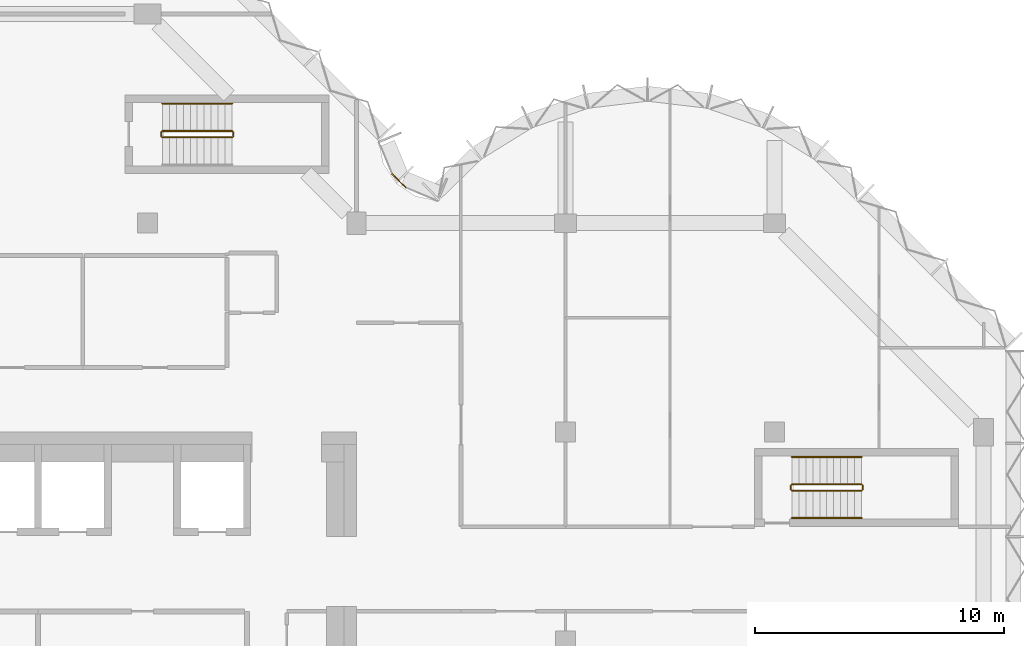
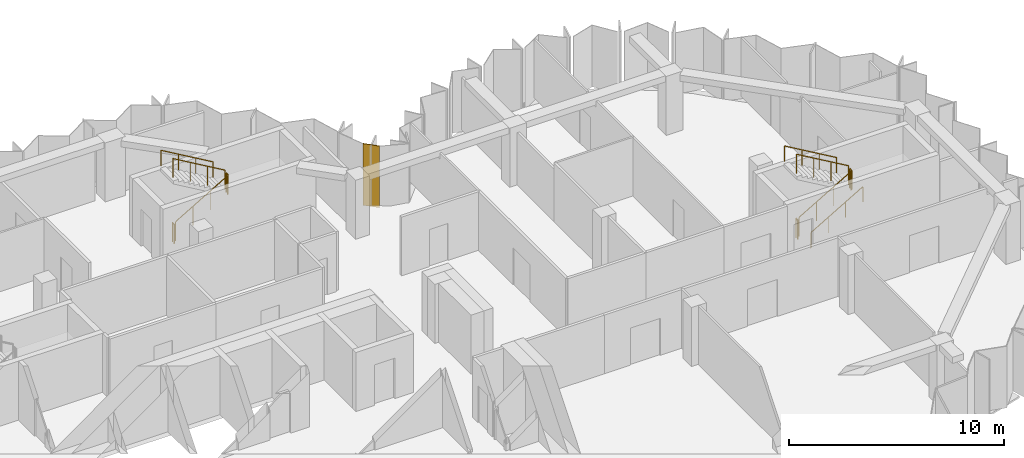
# One storey, part 10 of 10: 11 railings, 1 covering, 1 element without a shape of its own.
"""IFC4 building model written with IfcOpenShell, lengths in metres."""

from ifc_helpers import new_model, si_unit, direction, frame, origin, origin_2d, place, context, subcontext, project, spatial, polyline, circle, outline, extrude, material, layer, layer_set, type_object, element, aggregate, save


model = new_model("IFC4")

# Units and contexts
model_context = context("Model", 3, precision=1e-05, world=origin(), true_north=direction((0.0, 1.0)))
body_context = subcontext(model_context, "Body", "Model", "MODEL_VIEW")
ifc_project = project(units=[si_unit("LENGTHUNIT", "METRE"), si_unit("AREAUNIT", "SQUARE_METRE"), si_unit("VOLUMEUNIT", "CUBIC_METRE"), si_unit("PLANEANGLEUNIT", "RADIAN"), si_unit("MASSUNIT", "GRAM", prefix="KILO")], contexts=[model_context])

# Site, building, storey
site_placement = place(None, origin())
site = spatial("IfcSite", under=ifc_project, at=site_placement, CompositionType="ELEMENT")
building_placement = place(site_placement, origin())
building = spatial("IfcBuilding", under=site, at=building_placement, Name="Brevane Broadcast Tower", CompositionType="ELEMENT")
storey_placement = place(building_placement, frame((0.0, 0.0, 233.699951171875)))
storey = spatial("IfcBuildingStorey", under=building, at=storey_placement, Name="L59", CompositionType="ELEMENT", Elevation=233.699951171875)

# Railings
ifc_material_1 = material(Name="Steel S355", Category="steel")
railing_type_1 = type_object("IfcRailingType", Name="Exit stair guard", PredefinedType="GUARDRAIL", material=ifc_material_1)
railing_1_placement = place(storey_placement, frame((17.39990234375, 28.64990234375, 0.16357421875)))
element("IfcRailing", 1, at=railing_1_placement, inside=storey, type_object=railing_type_1, Name="L59 ST-3 stair guard 1", PredefinedType="GUARDRAIL", context=body_context, shape_type="SweptSolid", body=[
    extrude(circle(Radius=0.02392578125, at=origin_2d()), frame((0.0, 0.0, 1.076171875), z_axis=(0.863360870873, 0.0, 0.504586966384), x_axis=(0.0, 1.0, 0.0)), (0.0, 0.0, 1.0), 3.2431640625),
    extrude(circle(Radius=0.02099609375, at=origin_2d()), origin(), (0.0, 0.0, 1.0), 1.052001953125),
    extrude(circle(Radius=0.02099609375, at=origin_2d()), frame((0.933349609375, 0.0, 0.54541015625)), (0.0, 0.0, 1.0), 1.052001953125),
    extrude(circle(Radius=0.02099609375, at=origin_2d()), frame((1.86669921875, 0.0, 1.091064453125)), (0.0, 0.0, 1.0), 1.052001953125),
    extrude(circle(Radius=0.02099609375, at=origin_2d()), frame((2.800048828125, 0.0, 1.636474609375)), (0.0, 0.0, 1.0), 1.052001953125),
])
railing_2_placement = place(storey_placement, frame((20.25, 28.699951171875, 1.800048828125)))
element("IfcRailing", 2, at=railing_2_placement, inside=storey, type_object=railing_type_1, Name="L59 ST-3 stair guard 2", PredefinedType="GUARDRAIL", context=body_context, shape_type="SweptSolid", body=[
    extrude(circle(Radius=0.02392578125, at=origin_2d()), frame((0.0, 0.0, 1.076171875), z_axis=(0.0, 1.0, 0.0), x_axis=(-1.0, 0.0, 0.0)), (0.0, 0.0, 1.0), 0.150146484375),
    extrude(circle(Radius=0.02099609375, at=origin_2d()), origin(), (0.0, 0.0, 1.0), 1.052001953125),
    extrude(circle(Radius=0.02099609375, at=origin_2d()), frame((0.0, 0.150146484375, 0.0)), (0.0, 0.0, 1.0), 1.052001953125),
])
railing_3_placement = place(storey_placement, frame((20.199951171875, 28.89990234375, 1.963623046875)))
element("IfcRailing", 3, at=railing_3_placement, inside=storey, type_object=railing_type_1, Name="L59 ST-3 stair guard 3", PredefinedType="GUARDRAIL", context=body_context, shape_type="SweptSolid", body=[
    extrude(circle(Radius=0.02392578125, at=origin_2d()), frame((0.0, 0.0, 1.076171875), z_axis=(-0.863360870873, 0.0, 0.504586966384), x_axis=(0.0, -1.0, 0.0)), (0.0, 0.0, 1.0), 3.2431640625),
    extrude(circle(Radius=0.02099609375, at=origin_2d()), origin(), (0.0, 0.0, 1.0), 1.052001953125),
    extrude(circle(Radius=0.02099609375, at=origin_2d()), frame((-0.933349609375, 0.0, 0.54541015625)), (0.0, 0.0, 1.0), 1.052001953125),
    extrude(circle(Radius=0.02099609375, at=origin_2d()), frame((-1.86669921875, 0.0, 1.091064453125)), (0.0, 0.0, 1.0), 1.052001953125),
    extrude(circle(Radius=0.02099609375, at=origin_2d()), frame((-2.800048828125, 0.0, 1.636474609375)), (0.0, 0.0, 1.0), 1.052001953125),
])
railing_4_placement = place(storey_placement, frame((17.35009765625, 28.699951171875, 0.0)))
element("IfcRailing", 4, at=railing_4_placement, inside=storey, type_object=railing_type_1, Name="L59 ST-3 stair guard 4", PredefinedType="GUARDRAIL", context=body_context, shape_type="SweptSolid", body=[
    extrude(circle(Radius=0.02392578125, at=origin_2d()), frame((0.0, 0.0, 1.076171875), z_axis=(0.0, 1.0, 0.0), x_axis=(-1.0, 0.0, 0.0)), (0.0, 0.0, 1.0), 0.150146484375),
    extrude(circle(Radius=0.02099609375, at=origin_2d()), origin(), (0.0, 0.0, 1.0), 1.052001953125),
    extrude(circle(Radius=0.02099609375, at=origin_2d()), frame((0.0, 0.150146484375, 0.0)), (0.0, 0.0, 1.0), 1.052001953125),
])
railing_5_placement = place(storey_placement, frame((42.699951171875, 14.449951171875, 0.16357421875)))
element("IfcRailing", 5, at=railing_5_placement, inside=storey, type_object=railing_type_1, Name="L59 ST-4 stair guard 1", PredefinedType="GUARDRAIL", context=body_context, shape_type="SweptSolid", body=[
    extrude(circle(Radius=0.02392578125, at=origin_2d()), frame((0.0, 0.0, 1.076171875), z_axis=(0.863360870873, 0.0, 0.504586966384), x_axis=(0.0, 1.0, 0.0)), (0.0, 0.0, 1.0), 3.2431640625),
    extrude(circle(Radius=0.02099609375, at=origin_2d()), origin(), (0.0, 0.0, 1.0), 1.052001953125),
    extrude(circle(Radius=0.02099609375, at=origin_2d()), frame((0.933349609375, 0.0, 0.54541015625)), (0.0, 0.0, 1.0), 1.052001953125),
    extrude(circle(Radius=0.02099609375, at=origin_2d()), frame((1.86669921875, 0.0, 1.091064453125)), (0.0, 0.0, 1.0), 1.052001953125),
    extrude(circle(Radius=0.02099609375, at=origin_2d()), frame((2.800048828125, 0.0, 1.636474609375)), (0.0, 0.0, 1.0), 1.052001953125),
])
railing_6_placement = place(storey_placement, frame((45.550048828125, 14.5, 1.800048828125)))
element("IfcRailing", 6, at=railing_6_placement, inside=storey, type_object=railing_type_1, Name="L59 ST-4 stair guard 2", PredefinedType="GUARDRAIL", context=body_context, shape_type="SweptSolid", body=[
    extrude(circle(Radius=0.02392578125, at=origin_2d()), frame((0.0, 0.0, 1.076171875), z_axis=(0.0, 1.0, 0.0), x_axis=(-1.0, 0.0, 0.0)), (0.0, 0.0, 1.0), 0.14990234375),
    extrude(circle(Radius=0.02099609375, at=origin_2d()), origin(), (0.0, 0.0, 1.0), 1.052001953125),
    extrude(circle(Radius=0.02099609375, at=origin_2d()), frame((0.0, 0.14990234375, 0.0)), (0.0, 0.0, 1.0), 1.052001953125),
])
railing_7_placement = place(storey_placement, frame((45.5, 14.699951171875, 1.963623046875)))
element("IfcRailing", 7, at=railing_7_placement, inside=storey, type_object=railing_type_1, Name="L59 ST-4 stair guard 3", PredefinedType="GUARDRAIL", context=body_context, shape_type="SweptSolid", body=[
    extrude(circle(Radius=0.02392578125, at=origin_2d()), frame((0.0, 0.0, 1.076171875), z_axis=(-0.863360870873, 0.0, 0.504586966384), x_axis=(0.0, -1.0, 0.0)), (0.0, 0.0, 1.0), 3.2431640625),
    extrude(circle(Radius=0.02099609375, at=origin_2d()), origin(), (0.0, 0.0, 1.0), 1.052001953125),
    extrude(circle(Radius=0.02099609375, at=origin_2d()), frame((-0.933349609375, 0.0, 0.54541015625)), (0.0, 0.0, 1.0), 1.052001953125),
    extrude(circle(Radius=0.02099609375, at=origin_2d()), frame((-1.86669921875, 0.0, 1.091064453125)), (0.0, 0.0, 1.0), 1.052001953125),
    extrude(circle(Radius=0.02099609375, at=origin_2d()), frame((-2.800048828125, 0.0, 1.636474609375)), (0.0, 0.0, 1.0), 1.052001953125),
])
railing_8_placement = place(storey_placement, frame((42.64990234375, 14.5, 0.0)))
element("IfcRailing", 8, at=railing_8_placement, inside=storey, type_object=railing_type_1, Name="L59 ST-4 stair guard 4", PredefinedType="GUARDRAIL", context=body_context, shape_type="SweptSolid", body=[
    extrude(circle(Radius=0.02392578125, at=origin_2d()), frame((0.0, 0.0, 1.076171875), z_axis=(0.0, 1.0, 0.0), x_axis=(-1.0, 0.0, 0.0)), (0.0, 0.0, 1.0), 0.14990234375),
    extrude(circle(Radius=0.02099609375, at=origin_2d()), origin(), (0.0, 0.0, 1.0), 1.052001953125),
    extrude(circle(Radius=0.02099609375, at=origin_2d()), frame((0.0, 0.14990234375, 0.0)), (0.0, 0.0, 1.0), 1.052001953125),
])
railing_type_2 = type_object("IfcRailingType", Name="Exit stair handrail", PredefinedType="HANDRAIL", material=ifc_material_1)
railing_9_placement = place(storey_placement, frame((20.199951171875, 30.0, 1.963623046875)))
element("IfcRailing", 9, at=railing_9_placement, inside=storey, type_object=railing_type_2, Name="L59 ST-3 stair handrail 2", PredefinedType="HANDRAIL", context=body_context, shape_type="SweptSolid", body=[
    extrude(circle(Radius=0.02392578125, at=origin_2d()), frame((0.0, 0.0, 0.8759765625), z_axis=(-0.863360870873, 0.0, 0.504586966384), x_axis=(0.0, -1.0, 0.0)), (0.0, 0.0, 1.0), 3.2431640625),
    extrude(circle(Radius=0.02099609375, at=origin_2d()), origin(), (0.0, 0.0, 1.0), 0.851806640625),
    extrude(circle(Radius=0.02099609375, at=origin_2d()), frame((-0.933349609375, 0.0, 0.54541015625)), (0.0, 0.0, 1.0), 0.851806640625),
    extrude(circle(Radius=0.02099609375, at=origin_2d()), frame((-1.86669921875, 0.0, 1.091064453125)), (0.0, 0.0, 1.0), 0.851806640625),
    extrude(circle(Radius=0.02099609375, at=origin_2d()), frame((-2.800048828125, 0.0, 1.636474609375)), (0.0, 0.0, 1.0), 0.851806640625),
])
railing_10_placement = place(storey_placement, frame((42.699951171875, 13.35009765625, 0.16357421875)))
element("IfcRailing", 10, at=railing_10_placement, inside=storey, type_object=railing_type_2, Name="L59 ST-4 stair handrail 1", PredefinedType="HANDRAIL", context=body_context, shape_type="SweptSolid", body=[
    extrude(circle(Radius=0.02392578125, at=origin_2d()), frame((0.0, 0.0, 0.8759765625), z_axis=(0.863360870873, 0.0, 0.504586966384), x_axis=(0.0, 1.0, 0.0)), (0.0, 0.0, 1.0), 3.2431640625),
    extrude(circle(Radius=0.02099609375, at=origin_2d()), origin(), (0.0, 0.0, 1.0), 0.851806640625),
    extrude(circle(Radius=0.02099609375, at=origin_2d()), frame((0.933349609375, 0.0, 0.54541015625)), (0.0, 0.0, 1.0), 0.851806640625),
    extrude(circle(Radius=0.02099609375, at=origin_2d()), frame((1.86669921875, 0.0, 1.091064453125)), (0.0, 0.0, 1.0), 0.851806640625),
    extrude(circle(Radius=0.02099609375, at=origin_2d()), frame((2.800048828125, 0.0, 1.636474609375)), (0.0, 0.0, 1.0), 0.851806640625),
])
railing_11_placement = place(storey_placement, frame((45.5, 15.800048828125, 1.963623046875)))
element("IfcRailing", 11, at=railing_11_placement, inside=storey, type_object=railing_type_2, Name="L59 ST-4 stair handrail 2", PredefinedType="HANDRAIL", context=body_context, shape_type="SweptSolid", body=[
    extrude(circle(Radius=0.02392578125, at=origin_2d()), frame((0.0, 0.0, 0.8759765625), z_axis=(-0.863360870873, 0.0, 0.504586966384), x_axis=(0.0, -1.0, 0.0)), (0.0, 0.0, 1.0), 3.2431640625),
    extrude(circle(Radius=0.02099609375, at=origin_2d()), origin(), (0.0, 0.0, 1.0), 0.851806640625),
    extrude(circle(Radius=0.02099609375, at=origin_2d()), frame((-0.933349609375, 0.0, 0.54541015625)), (0.0, 0.0, 1.0), 0.851806640625),
    extrude(circle(Radius=0.02099609375, at=origin_2d()), frame((-1.86669921875, 0.0, 1.091064453125)), (0.0, 0.0, 1.0), 0.851806640625),
    extrude(circle(Radius=0.02099609375, at=origin_2d()), frame((-2.800048828125, 0.0, 1.636474609375)), (0.0, 0.0, 1.0), 0.851806640625),
])

# Curtain wall, covering
ifc_material_2 = material(Name="Aluminium 6063-T6 bronze anodised", Category="aluminium")
curtain_wall_type = type_object("IfcCurtainWallType", Name="CW-1 curtain wall", PredefinedType="NOTDEFINED", material=ifc_material_2)
curtain_wall_placement = place(storey_placement, origin())
curtain_wall = element("IfcCurtainWall", 12, at=curtain_wall_placement, inside=storey, type_object=curtain_wall_type, Name="CW-1 typical tilted unit L59 inner corner", PredefinedType="NOTDEFINED")
ifc_material_3 = material(Name="Back-painted bronze glass shadow-box", Category="glass")
ifc_layer = layer(ifc_material_3, 0.0400390625)
ifc_layer_set = layer_set([ifc_layer], Name="Shadow-box panel 40")
covering_type = type_object("IfcCoveringType", Name="Shadow-box panel 40", PredefinedType="CLADDING", material=ifc_layer_set)
covering_placement = place(storey_placement, frame((0.0, 0.0, -0.14990234375)))
covering = element("IfcCovering", 13, at=covering_placement, type_object=covering_type, Name="Closure panel", PredefinedType="CLADDING", context=body_context, shape_type="SweptSolid", body=[
    extrude(outline(polyline([(27.17138671875, 26.60498046875), (27.2021484375, 26.635498046875), (26.635498046875, 27.2021484375), (26.60498046875, 27.17138671875), (27.17138671875, 26.60498046875)])), origin(), (0.0, 0.0, 1.0), 3.5),
])
aggregate(curtain_wall, [covering])

save(model, "model.ifc")
